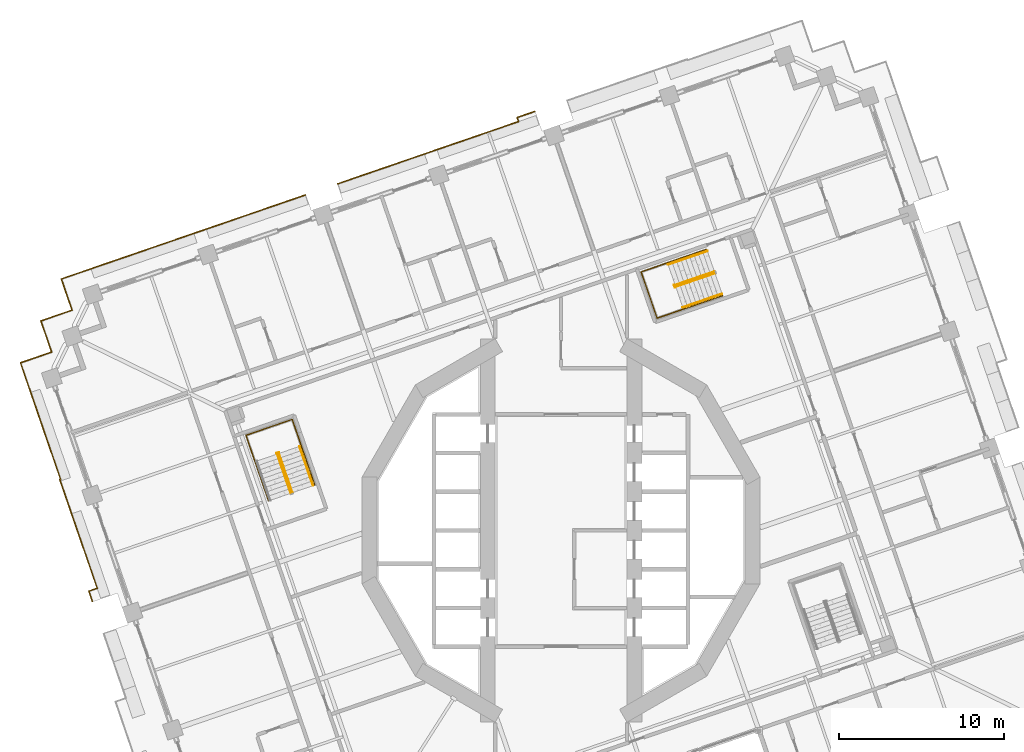
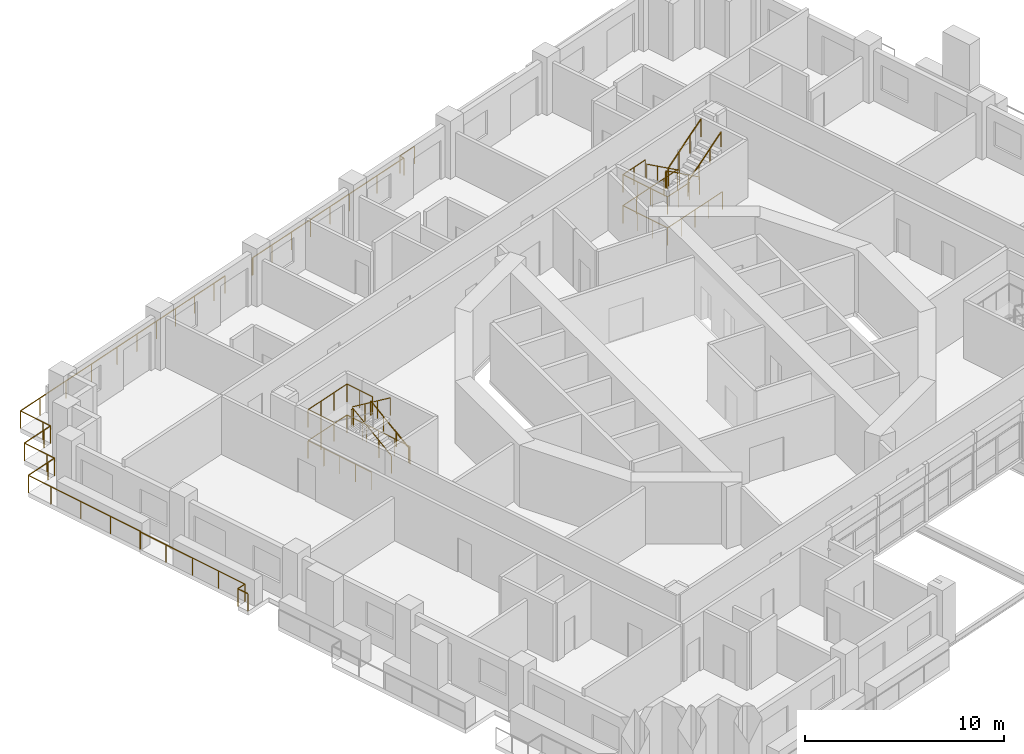
# One storey, part 19 of 22: 14 railings.
"""IFC4 building model written with IfcOpenShell, lengths in metres."""

from ifc_helpers import new_model, si_unit, direction, frame, origin, origin_2d, place, context, subcontext, project, spatial, circle, extrude, material, type_object, element, save


model = new_model("IFC4")

# Units and contexts
model_context = context("Model", 3, precision=1e-05, world=origin(), true_north=direction((0.0, 1.0)))
body_context = subcontext(model_context, "Body", "Model", "MODEL_VIEW")
ifc_project = project(units=[si_unit("LENGTHUNIT", "METRE"), si_unit("AREAUNIT", "SQUARE_METRE"), si_unit("VOLUMEUNIT", "CUBIC_METRE"), si_unit("PLANEANGLEUNIT", "RADIAN"), si_unit("MASSUNIT", "GRAM", prefix="KILO")], contexts=[model_context])

# Site, building, storey
site_placement = place(None, origin())
site = spatial("IfcSite", under=ifc_project, at=site_placement, CompositionType="ELEMENT")
building_placement = place(site_placement, origin())
building = spatial("IfcBuilding", under=site, at=building_placement, Name="Cantera Rosa Tower", CompositionType="ELEMENT")
storey_placement = place(building_placement, frame((0.0, 0.0, 107.89990234375)))
storey = spatial("IfcBuildingStorey", under=building, at=storey_placement, Name="L21", CompositionType="ELEMENT", Elevation=107.89990234375)

# Railings
ifc_material_1 = material(Name="Stainless steel and laminated glass", Category="steel")
railing_type_1 = type_object("IfcRailingType", Name="GUARD 1100", PredefinedType="BALUSTRADE", material=ifc_material_1)
railing_1_placement = place(storey_placement, frame((-29.6689453125, 13.369140625, 0.0)))
element("IfcRailing", 1, at=railing_1_placement, inside=storey, type_object=railing_type_1, Name="GUARD L21-5", PredefinedType="BALUSTRADE", context=body_context, shape_type="SweptSolid", body=[
    extrude(circle(Radius=0.030029296875, at=origin_2d()), frame((0.0, 0.0, 1.070068359375), z_axis=(-0.32573481536, 0.945461173218, 0.0), x_axis=(-0.945461173218, -0.32573481536, 0.0)), (0.0, 0.0, 1.0), 0.5),
    extrude(circle(Radius=0.030029296875, at=origin_2d()), frame((-0.162841796875, 0.47265625, 1.070068359375), z_axis=(-0.325489086777, 0.945545797087, 0.0), x_axis=(-0.945545797087, -0.325489086777, 0.0)), (0.0, 0.0, 1.0), 1.500244140625),
    extrude(circle(Radius=0.030029296875, at=origin_2d()), frame((-0.651123046875, 1.89111328125, 1.070068359375), z_axis=(0.945528551438, 0.325539181077, 0.0), x_axis=(-0.325539181077, 0.945528551438, 0.0)), (0.0, 0.0, 1.0), 1.5),
    extrude(circle(Radius=0.030029296875, at=origin_2d()), frame((0.76708984375, 2.37939453125, 1.070068359375), z_axis=(0.945517123015, 0.325572373037, 0.0), x_axis=(-0.325572373037, 0.945517123015, 0.0)), (0.0, 0.0, 1.0), 5.900146484375),
    extrude(circle(Radius=0.030029296875, at=origin_2d()), frame((6.345703125, 4.30029296875, 1.070068359375), z_axis=(0.945528551438, 0.325539181077, 0.0), x_axis=(-0.325539181077, 0.945528551438, 0.0)), (0.0, 0.0, 1.0), 2.999755859375),
    extrude(circle(Radius=0.030029296875, at=origin_2d()), frame((9.18212890625, 5.27685546875, 1.070068359375), z_axis=(0.945513227049, 0.325583687361, 0.0), x_axis=(-0.325583687361, 0.945513227049, 0.0)), (0.0, 0.0, 1.0), 4.400146484375),
    extrude(circle(Radius=0.030029296875, at=origin_2d()), frame((13.342529296875, 6.70947265625, 1.070068359375), z_axis=(0.945522007901, 0.325558186158, 0.0), x_axis=(-0.325558186158, 0.945522007901, 0.0)), (0.0, 0.0, 1.0), 0.869873046875),
    extrude(circle(Radius=0.02490234375, at=origin_2d()), origin(), (0.0, 0.0, 1.0), 1.0400390625),
    extrude(circle(Radius=0.02490234375, at=origin_2d()), frame((-0.162841796875, 0.47265625, 0.0)), (0.0, 0.0, 1.0), 1.0400390625),
    extrude(circle(Radius=0.02490234375, at=origin_2d()), frame((-0.651123046875, 1.89111328125, 0.0)), (0.0, 0.0, 1.0), 1.0400390625),
    extrude(circle(Radius=0.02490234375, at=origin_2d()), frame((0.76708984375, 2.37939453125, 0.0)), (0.0, 0.0, 1.0), 1.0400390625),
    extrude(circle(Radius=0.02490234375, at=origin_2d()), frame((2.626708984375, 3.019775390625, 0.0)), (0.0, 0.0, 1.0), 1.0400390625),
    extrude(circle(Radius=0.02490234375, at=origin_2d()), frame((4.486083984375, 3.659912109375, 0.0)), (0.0, 0.0, 1.0), 1.0400390625),
    extrude(circle(Radius=0.02490234375, at=origin_2d()), frame((6.345703125, 4.30029296875, 0.0)), (0.0, 0.0, 1.0), 1.0400390625),
    extrude(circle(Radius=0.02490234375, at=origin_2d()), frame((7.763916015625, 4.78857421875, 0.0)), (0.0, 0.0, 1.0), 1.0400390625),
    extrude(circle(Radius=0.02490234375, at=origin_2d()), frame((9.18212890625, 5.27685546875, 0.0)), (0.0, 0.0, 1.0), 1.0400390625),
    extrude(circle(Radius=0.02490234375, at=origin_2d()), frame((10.56884765625, 5.75439453125, 0.0)), (0.0, 0.0, 1.0), 1.0400390625),
    extrude(circle(Radius=0.02490234375, at=origin_2d()), frame((11.955810546875, 6.23193359375, 0.0)), (0.0, 0.0, 1.0), 1.0400390625),
    extrude(circle(Radius=0.02490234375, at=origin_2d()), frame((13.342529296875, 6.70947265625, 0.0)), (0.0, 0.0, 1.0), 1.0400390625),
    extrude(circle(Radius=0.02490234375, at=origin_2d()), frame((14.1650390625, 6.99267578125, 0.0)), (0.0, 0.0, 1.0), 1.0400390625),
])
railing_2_placement = place(storey_placement, frame((-28.4375, -4.302734375, 0.0)))
element("IfcRailing", 2, at=railing_2_placement, inside=storey, type_object=railing_type_1, Name="GUARD L21-6", PredefinedType="BALUSTRADE", context=body_context, shape_type="SweptSolid", body=[
    extrude(circle(Radius=0.030029296875, at=origin_2d()), frame((0.0, 0.0, 1.070068359375), z_axis=(-0.325659546452, 0.945487101871, 0.0), x_axis=(-0.945487101871, -0.325659546452, 0.0)), (0.0, 0.0, 1.0), 0.658935546875),
    extrude(circle(Radius=0.030029296875, at=origin_2d()), frame((-0.214599609375, 0.623046875, 1.070068359375), z_axis=(0.945368163096, 0.326004656722, 0.0), x_axis=(-0.326004656722, 0.945368163096, 0.0)), (0.0, 0.0, 1.0), 0.538330078125),
    extrude(circle(Radius=0.030029296875, at=origin_2d()), frame((0.29443359375, 0.798583984375, 1.070068359375), z_axis=(-0.325570342636, 0.945517822146, 0.0), x_axis=(-0.945517822146, -0.325570342636, 0.0)), (0.0, 0.0, 1.0), 6.9814453125),
    extrude(circle(Radius=0.030029296875, at=origin_2d()), frame((-1.978515625, 7.399658203125, 1.070068359375), z_axis=(0.946241776499, 0.323460199109, 0.0), x_axis=(-0.323460199109, 0.946241776499, 0.0)), (0.0, 0.0, 1.0), 0.050537109375),
    extrude(circle(Radius=0.030029296875, at=origin_2d()), frame((-1.9306640625, 7.416015625, 1.070068359375), z_axis=(-0.325549503815, 0.945524997325, 0.0), x_axis=(-0.945524997325, -0.325549503815, 0.0)), (0.0, 0.0, 1.0), 5.969482421875),
    extrude(circle(Radius=0.030029296875, at=origin_2d()), frame((-3.8740234375, 13.060302734375, 1.070068359375), z_axis=(-0.325539181077, 0.945528551438, 0.0), x_axis=(-0.945528551438, -0.325539181077, 0.0)), (0.0, 0.0, 1.0), 1.5),
    extrude(circle(Radius=0.030029296875, at=origin_2d()), frame((-4.3623046875, 14.478515625, 1.070068359375), z_axis=(0.945528551438, 0.325539181077, 0.0), x_axis=(-0.325539181077, 0.945528551438, 0.0)), (0.0, 0.0, 1.0), 1.5),
    extrude(circle(Radius=0.030029296875, at=origin_2d()), frame((-2.944091796875, 14.966796875, 1.070068359375), z_axis=(0.945461173218, 0.32573481536, 0.0), x_axis=(-0.32573481536, 0.945461173218, 0.0)), (0.0, 0.0, 1.0), 0.5),
    extrude(circle(Radius=0.030029296875, at=origin_2d()), frame((-2.471435546875, 15.129638671875, 1.070068359375), z_axis=(-0.325147989177, 0.945663145699, 0.0), x_axis=(-0.945663145699, -0.325147989177, 0.0)), (0.0, 0.0, 1.0), 0.5),
    extrude(circle(Radius=0.030029296875, at=origin_2d()), frame((-2.634033203125, 15.6025390625, 1.070068359375), z_axis=(-0.325684689469, 0.945478441343, 0.0), x_axis=(-0.945478441343, -0.325684689469, 0.0)), (0.0, 0.0, 1.0), 1.5),
    extrude(circle(Radius=0.030029296875, at=origin_2d()), frame((-3.12255859375, 17.020751953125, 1.070068359375), z_axis=(0.945545797087, 0.325489086777, 0.0), x_axis=(-0.325489086777, 0.945545797087, 0.0)), (0.0, 0.0, 1.0), 1.500244140625),
    extrude(circle(Radius=0.030029296875, at=origin_2d()), frame((-1.7041015625, 17.509033203125, 1.070068359375), z_axis=(0.945461173218, 0.32573481536, 0.0), x_axis=(-0.32573481536, 0.945461173218, 0.0)), (0.0, 0.0, 1.0), 0.5),
    extrude(circle(Radius=0.02490234375, at=origin_2d()), origin(), (0.0, 0.0, 1.0), 1.0400390625),
    extrude(circle(Radius=0.02490234375, at=origin_2d()), frame((-0.214599609375, 0.623046875, 0.0)), (0.0, 0.0, 1.0), 1.0400390625),
    extrude(circle(Radius=0.02490234375, at=origin_2d()), frame((0.29443359375, 0.798583984375, 0.0)), (0.0, 0.0, 1.0), 1.0400390625),
    extrude(circle(Radius=0.02490234375, at=origin_2d()), frame((-0.27392578125, 2.44873046875, 0.0)), (0.0, 0.0, 1.0), 1.0400390625),
    extrude(circle(Radius=0.02490234375, at=origin_2d()), frame((-0.842041015625, 4.09912109375, 0.0)), (0.0, 0.0, 1.0), 1.0400390625),
    extrude(circle(Radius=0.02490234375, at=origin_2d()), frame((-1.41015625, 5.74951171875, 0.0)), (0.0, 0.0, 1.0), 1.0400390625),
    extrude(circle(Radius=0.02490234375, at=origin_2d()), frame((-1.978515625, 7.399658203125, 0.0)), (0.0, 0.0, 1.0), 1.0400390625),
    extrude(circle(Radius=0.02490234375, at=origin_2d()), frame((-1.9306640625, 7.416015625, 0.0)), (0.0, 0.0, 1.0), 1.0400390625),
    extrude(circle(Radius=0.02490234375, at=origin_2d()), frame((-2.578369140625, 9.29736328125, 0.0)), (0.0, 0.0, 1.0), 1.0400390625),
    extrude(circle(Radius=0.02490234375, at=origin_2d()), frame((-3.226318359375, 11.178955078125, 0.0)), (0.0, 0.0, 1.0), 1.0400390625),
    extrude(circle(Radius=0.02490234375, at=origin_2d()), frame((-3.8740234375, 13.060302734375, 0.0)), (0.0, 0.0, 1.0), 1.0400390625),
    extrude(circle(Radius=0.02490234375, at=origin_2d()), frame((-4.3623046875, 14.478515625, 0.0)), (0.0, 0.0, 1.0), 1.0400390625),
    extrude(circle(Radius=0.02490234375, at=origin_2d()), frame((-2.944091796875, 14.966796875, 0.0)), (0.0, 0.0, 1.0), 1.0400390625),
    extrude(circle(Radius=0.02490234375, at=origin_2d()), frame((-2.471435546875, 15.129638671875, 0.0)), (0.0, 0.0, 1.0), 1.0400390625),
    extrude(circle(Radius=0.02490234375, at=origin_2d()), frame((-2.634033203125, 15.6025390625, 0.0)), (0.0, 0.0, 1.0), 1.0400390625),
    extrude(circle(Radius=0.02490234375, at=origin_2d()), frame((-3.12255859375, 17.020751953125, 0.0)), (0.0, 0.0, 1.0), 1.0400390625),
    extrude(circle(Radius=0.02490234375, at=origin_2d()), frame((-1.7041015625, 17.509033203125, 0.0)), (0.0, 0.0, 1.0), 1.0400390625),
    extrude(circle(Radius=0.02490234375, at=origin_2d()), frame((-1.2314453125, 17.671875, 0.0)), (0.0, 0.0, 1.0), 1.0400390625),
])
railing_3_placement = place(storey_placement, frame((-13.55615234375, 21.032470703125, 0.0)))
element("IfcRailing", 3, at=railing_3_placement, inside=storey, type_object=railing_type_1, Name="GUARD L21-7", PredefinedType="BALUSTRADE", context=body_context, shape_type="SweptSolid", body=[
    extrude(circle(Radius=0.030029296875, at=origin_2d()), frame((0.0, 0.0, 1.070068359375), z_axis=(0.946220044844, 0.323523765333, 0.0), x_axis=(-0.323523765333, 0.946220044844, 0.0)), (0.0, 0.0, 1.0), 0.070068359375),
    extrude(circle(Radius=0.030029296875, at=origin_2d()), frame((0.06640625, 0.022705078125, 1.070068359375), z_axis=(0.945507344955, 0.325600768791, 0.0), x_axis=(-0.325600768791, 0.945507344955, 0.0)), (0.0, 0.0, 1.0), 4.39990234375),
    extrude(circle(Radius=0.030029296875, at=origin_2d()), frame((4.2265625, 1.455322265625, 1.070068359375), z_axis=(0.945537175258, 0.325514132114, 0.0), x_axis=(-0.325514132114, 0.945537175258, 0.0)), (0.0, 0.0, 1.0), 3.0),
    extrude(circle(Radius=0.030029296875, at=origin_2d()), frame((7.063232421875, 2.431884765625, 1.070068359375), z_axis=(0.94551645067, 0.325574325633, 0.0), x_axis=(-0.325574325633, 0.94551645067, 0.0)), (0.0, 0.0, 1.0), 4.138671875),
    extrude(circle(Radius=0.030029296875, at=origin_2d()), frame((10.976318359375, 3.779296875, 1.070068359375), z_axis=(-0.325731798778, 0.9454622125, 0.0), x_axis=(-0.9454622125, -0.325731798778, 0.0)), (0.0, 0.0, 1.0), 0.261474609375),
    extrude(circle(Radius=0.030029296875, at=origin_2d()), frame((10.89111328125, 4.026611328125, 1.070068359375), z_axis=(0.945508186981, 0.325598323632, 0.0), x_axis=(-0.325598323632, 0.945508186981, 0.0)), (0.0, 0.0, 1.0), 1.131591796875),
    extrude(circle(Radius=0.02490234375, at=origin_2d()), origin(), (0.0, 0.0, 1.0), 1.0400390625),
    extrude(circle(Radius=0.02490234375, at=origin_2d()), frame((0.06640625, 0.022705078125, 0.0)), (0.0, 0.0, 1.0), 1.0400390625),
    extrude(circle(Radius=0.02490234375, at=origin_2d()), frame((1.453125, 0.500244140625, 0.0)), (0.0, 0.0, 1.0), 1.0400390625),
    extrude(circle(Radius=0.02490234375, at=origin_2d()), frame((2.83984375, 0.977783203125, 0.0)), (0.0, 0.0, 1.0), 1.0400390625),
    extrude(circle(Radius=0.02490234375, at=origin_2d()), frame((4.2265625, 1.455322265625, 0.0)), (0.0, 0.0, 1.0), 1.0400390625),
    extrude(circle(Radius=0.02490234375, at=origin_2d()), frame((5.64501953125, 1.943603515625, 0.0)), (0.0, 0.0, 1.0), 1.0400390625),
    extrude(circle(Radius=0.02490234375, at=origin_2d()), frame((7.063232421875, 2.431884765625, 0.0)), (0.0, 0.0, 1.0), 1.0400390625),
    extrude(circle(Radius=0.02490234375, at=origin_2d()), frame((9.019775390625, 3.10546875, 0.0)), (0.0, 0.0, 1.0), 1.0400390625),
    extrude(circle(Radius=0.02490234375, at=origin_2d()), frame((10.976318359375, 3.779296875, 0.0)), (0.0, 0.0, 1.0), 1.0400390625),
    extrude(circle(Radius=0.02490234375, at=origin_2d()), frame((10.89111328125, 4.026611328125, 0.0)), (0.0, 0.0, 1.0), 1.0400390625),
    extrude(circle(Radius=0.02490234375, at=origin_2d()), frame((11.9609375, 4.39501953125, 0.0)), (0.0, 0.0, 1.0), 1.0400390625),
])
ifc_material_2 = material(Name="Steel S355J2 (EN 10025-2)", Category="steel")
railing_type_2 = type_object("IfcRailingType", Name="STAIR GUARD 1100", PredefinedType="GUARDRAIL", material=ifc_material_2)
railing_4_placement = place(storey_placement, frame((9.307861328125, 15.7021484375, 0.190185546875)))
element("IfcRailing", 4, at=railing_4_placement, inside=storey, type_object=railing_type_2, Name="L21 ST-21 stair guard 1", PredefinedType="GUARDRAIL", context=body_context, shape_type="SweptSolid", body=[
    extrude(circle(Radius=0.02392578125, at=origin_2d()), frame((0.0, 0.0, 1.076171875), z_axis=(-0.782404165978, -0.269432418223, 0.561471186323), x_axis=(0.325599548996, -0.94550776501, 0.0)), (0.0, 0.0, 1.0), 3.04541015625),
    extrude(circle(Radius=0.02392578125, at=origin_2d()), frame((-2.3828125, -0.820556640625, 2.7861328125), z_axis=(-0.989063265047, 0.147491890402, 0.0), x_axis=(-0.147491890402, -0.989063265047, 0.0)), (0.0, 0.0, 1.0), 0.056396484375),
    extrude(circle(Radius=0.02392578125, at=origin_2d()), frame((-2.4384765625, -0.812255859375, 2.7861328125), z_axis=(0.325990683319, -0.945372981626, 0.0), x_axis=(0.945372981626, 0.325990683319, 0.0)), (0.0, 0.0, 1.0), 0.14990234375),
    extrude(circle(Radius=0.02099609375, at=origin_2d()), origin(), (0.0, 0.0, 1.0), 1.052001953125),
    extrude(circle(Radius=0.02099609375, at=origin_2d()), frame((-0.794189453125, -0.2734375, 0.570068359375)), (0.0, 0.0, 1.0), 1.052001953125),
    extrude(circle(Radius=0.02099609375, at=origin_2d()), frame((-1.588623046875, -0.547119140625, 1.139892578125)), (0.0, 0.0, 1.0), 1.052001953125),
    extrude(circle(Radius=0.02099609375, at=origin_2d()), frame((-2.3828125, -0.820556640625, 1.7099609375)), (0.0, 0.0, 1.0), 1.052001953125),
    extrude(circle(Radius=0.02099609375, at=origin_2d()), frame((-2.4384765625, -0.812255859375, 1.7099609375)), (0.0, 0.0, 1.0), 1.052001953125),
    extrude(circle(Radius=0.02099609375, at=origin_2d()), frame((-2.3896484375, -0.953857421875, 1.7099609375)), (0.0, 0.0, 1.0), 1.052001953125),
])
railing_5_placement = place(storey_placement, frame((6.95703125, 14.7890625, 2.090087890625)))
element("IfcRailing", 5, at=railing_5_placement, inside=storey, type_object=railing_type_2, Name="L21 ST-21 stair guard 2", PredefinedType="GUARDRAIL", context=body_context, shape_type="SweptSolid", body=[
    extrude(circle(Radius=0.02392578125, at=origin_2d()), frame((0.0, 0.0, 1.076171875), z_axis=(0.782389970342, 0.269374966733, 0.561518531845), x_axis=(-0.325542759796, 0.945527319301, 0.0)), (0.0, 0.0, 1.0), 3.045166015625),
    extrude(circle(Radius=0.02099609375, at=origin_2d()), origin(), (0.0, 0.0, 1.0), 1.052001953125),
    extrude(circle(Radius=0.02099609375, at=origin_2d()), frame((0.794189453125, 0.2734375, 0.570068359375)), (0.0, 0.0, 1.0), 1.052001953125),
    extrude(circle(Radius=0.02099609375, at=origin_2d()), frame((1.58837890625, 0.546875, 1.139892578125)), (0.0, 0.0, 1.0), 1.052001953125),
    extrude(circle(Radius=0.02099609375, at=origin_2d()), frame((2.382568359375, 0.8203125, 1.7099609375)), (0.0, 0.0, 1.0), 1.052001953125),
])
railing_6_placement = place(storey_placement, frame((8.828857421875, 17.055908203125, 0.0)))
element("IfcRailing", 6, at=railing_6_placement, inside=storey, type_object=railing_type_2, Name="L21 ST-21 stair guard 4", PredefinedType="GUARDRAIL", context=body_context, shape_type="SweptSolid", body=[
    extrude(circle(Radius=0.02392578125, at=origin_2d()), frame((0.0, 0.0, 1.076171875), z_axis=(-0.945519978022, -0.325564081496, 0.0), x_axis=(0.325564081496, -0.945519978022, 0.0)), (0.0, 0.0, 1.0), 4.197998046875),
    extrude(circle(Radius=0.02392578125, at=origin_2d()), frame((-3.96923828125, -1.36669921875, 1.076171875), z_axis=(0.325608117645, -0.945504814226, 0.0), x_axis=(0.945504814226, 0.325608117645, 0.0)), (0.0, 0.0, 1.0), 2.969970703125),
    extrude(circle(Radius=0.02392578125, at=origin_2d()), frame((-3.002197265625, -4.1748046875, 1.076171875), z_axis=(0.945519978022, 0.325564081496, 0.0), x_axis=(-0.325564081496, 0.945519978022, 0.0)), (0.0, 0.0, 1.0), 4.197998046875),
    extrude(circle(Radius=0.02099609375, at=origin_2d()), origin(), (0.0, 0.0, 1.0), 1.052001953125),
    extrude(circle(Radius=0.02099609375, at=origin_2d()), frame((-0.9921875, -0.341796875, 0.0)), (0.0, 0.0, 1.0), 1.052001953125),
    extrude(circle(Radius=0.02099609375, at=origin_2d()), frame((-1.984619140625, -0.683349609375, 0.0)), (0.0, 0.0, 1.0), 1.052001953125),
    extrude(circle(Radius=0.02099609375, at=origin_2d()), frame((-2.97705078125, -1.02490234375, 0.0)), (0.0, 0.0, 1.0), 1.052001953125),
    extrude(circle(Radius=0.02099609375, at=origin_2d()), frame((-3.96923828125, -1.36669921875, 0.0)), (0.0, 0.0, 1.0), 1.052001953125),
    extrude(circle(Radius=0.02099609375, at=origin_2d()), frame((-3.64697265625, -2.302734375, 0.0)), (0.0, 0.0, 1.0), 1.052001953125),
    extrude(circle(Radius=0.02099609375, at=origin_2d()), frame((-3.324462890625, -3.23876953125, 0.0)), (0.0, 0.0, 1.0), 1.052001953125),
    extrude(circle(Radius=0.02099609375, at=origin_2d()), frame((-3.002197265625, -4.1748046875, 0.0)), (0.0, 0.0, 1.0), 1.052001953125),
    extrude(circle(Radius=0.02099609375, at=origin_2d()), frame((-2.009765625, -3.8330078125, 0.0)), (0.0, 0.0, 1.0), 1.052001953125),
    extrude(circle(Radius=0.02099609375, at=origin_2d()), frame((-1.017578125, -3.491455078125, 0.0)), (0.0, 0.0, 1.0), 1.052001953125),
    extrude(circle(Radius=0.02099609375, at=origin_2d()), frame((-0.025390625, -3.14990234375, 0.0)), (0.0, 0.0, 1.0), 1.052001953125),
    extrude(circle(Radius=0.02099609375, at=origin_2d()), frame((0.967041015625, -2.80810546875, 0.0)), (0.0, 0.0, 1.0), 1.052001953125),
])
railing_7_placement = place(storey_placement, frame((6.468994140625, 16.243408203125, 1.900146484375)))
element("IfcRailing", 7, at=railing_7_placement, inside=storey, type_object=railing_type_2, Name="L21 ST-21 stair guard 5", PredefinedType="GUARDRAIL", context=body_context, shape_type="SweptSolid", body=[
    extrude(circle(Radius=0.02392578125, at=origin_2d()), frame((0.0, 0.0, 1.076171875), z_axis=(-0.94551008141, -0.32559282233, 0.0), x_axis=(0.32559282233, -0.94551008141, 0.0)), (0.0, 0.0, 1.0), 1.7021484375),
    extrude(circle(Radius=0.02392578125, at=origin_2d()), frame((-1.609375, -0.55419921875, 1.076171875), z_axis=(0.325608117645, -0.945504814226, 0.0), x_axis=(0.945504814226, 0.325608117645, 0.0)), (0.0, 0.0, 1.0), 2.969970703125),
    extrude(circle(Radius=0.02392578125, at=origin_2d()), frame((-0.642333984375, -3.3623046875, 1.076171875), z_axis=(0.945539033546, 0.325508734201, 0.0), x_axis=(-0.325508734201, 0.945539033546, 0.0)), (0.0, 0.0, 1.0), 1.701904296875),
    extrude(circle(Radius=0.02099609375, at=origin_2d()), origin(), (0.0, 0.0, 1.0), 1.052001953125),
    extrude(circle(Radius=0.02099609375, at=origin_2d()), frame((-0.8046875, -0.277099609375, 0.0)), (0.0, 0.0, 1.0), 1.052001953125),
    extrude(circle(Radius=0.02099609375, at=origin_2d()), frame((-1.609375, -0.55419921875, 0.0)), (0.0, 0.0, 1.0), 1.052001953125),
    extrude(circle(Radius=0.02099609375, at=origin_2d()), frame((-1.287109375, -1.490234375, 0.0)), (0.0, 0.0, 1.0), 1.052001953125),
    extrude(circle(Radius=0.02099609375, at=origin_2d()), frame((-0.964599609375, -2.42626953125, 0.0)), (0.0, 0.0, 1.0), 1.052001953125),
    extrude(circle(Radius=0.02099609375, at=origin_2d()), frame((-0.642333984375, -3.3623046875, 0.0)), (0.0, 0.0, 1.0), 1.052001953125),
    extrude(circle(Radius=0.02099609375, at=origin_2d()), frame((0.162109375, -3.08544921875, 0.0)), (0.0, 0.0, 1.0), 1.052001953125),
    extrude(circle(Radius=0.02099609375, at=origin_2d()), frame((0.966796875, -2.808349609375, 0.0)), (0.0, 0.0, 1.0), 1.052001953125),
])
railing_8_placement = place(storey_placement, frame((-16.2978515625, 2.292236328125, 0.190185546875)))
element("IfcRailing", 8, at=railing_8_placement, inside=storey, type_object=railing_type_2, Name="L21 ST-22 stair guard 1", PredefinedType="GUARDRAIL", context=body_context, shape_type="SweptSolid", body=[
    extrude(circle(Radius=0.02392578125, at=origin_2d()), frame((0.0, 0.0, 1.076171875), z_axis=(-0.269432418223, 0.782404165978, 0.561471186323), x_axis=(-0.94550776501, -0.325599548996, 0.0)), (0.0, 0.0, 1.0), 3.04541015625),
    extrude(circle(Radius=0.02392578125, at=origin_2d()), frame((-0.820556640625, 2.3828125, 2.7861328125), z_axis=(0.147491890402, 0.989063265047, 0.0), x_axis=(-0.989063265047, 0.147491890402, 0.0)), (0.0, 0.0, 1.0), 0.056396484375),
    extrude(circle(Radius=0.02392578125, at=origin_2d()), frame((-0.812255859375, 2.4384765625, 2.7861328125), z_axis=(-0.945372981626, -0.325990683319, 0.0), x_axis=(0.325990683319, -0.945372981626, 0.0)), (0.0, 0.0, 1.0), 0.14990234375),
    extrude(circle(Radius=0.02099609375, at=origin_2d()), origin(), (0.0, 0.0, 1.0), 1.052001953125),
    extrude(circle(Radius=0.02099609375, at=origin_2d()), frame((-0.2734375, 0.794189453125, 0.570068359375)), (0.0, 0.0, 1.0), 1.052001953125),
    extrude(circle(Radius=0.02099609375, at=origin_2d()), frame((-0.547119140625, 1.588623046875, 1.139892578125)), (0.0, 0.0, 1.0), 1.052001953125),
    extrude(circle(Radius=0.02099609375, at=origin_2d()), frame((-0.820556640625, 2.3828125, 1.7099609375)), (0.0, 0.0, 1.0), 1.052001953125),
    extrude(circle(Radius=0.02099609375, at=origin_2d()), frame((-0.812255859375, 2.4384765625, 1.7099609375)), (0.0, 0.0, 1.0), 1.052001953125),
    extrude(circle(Radius=0.02099609375, at=origin_2d()), frame((-0.953857421875, 2.3896484375, 1.7099609375)), (0.0, 0.0, 1.0), 1.052001953125),
])
railing_9_placement = place(storey_placement, frame((-17.2109375, 4.64306640625, 2.090087890625)))
element("IfcRailing", 9, at=railing_9_placement, inside=storey, type_object=railing_type_2, Name="L21 ST-22 stair guard 2", PredefinedType="GUARDRAIL", context=body_context, shape_type="SweptSolid", body=[
    extrude(circle(Radius=0.02392578125, at=origin_2d()), frame((0.0, 0.0, 1.076171875), z_axis=(0.269358070891, -0.782421063063, 0.561483312059), x_axis=(0.945537585866, 0.325512939397, 0.0)), (0.0, 0.0, 1.0), 3.04541015625),
    extrude(circle(Radius=0.02099609375, at=origin_2d()), origin(), (0.0, 0.0, 1.0), 1.052001953125),
    extrude(circle(Radius=0.02099609375, at=origin_2d()), frame((0.2734375, -0.794189453125, 0.570068359375)), (0.0, 0.0, 1.0), 1.052001953125),
    extrude(circle(Radius=0.02099609375, at=origin_2d()), frame((0.546875, -1.588623046875, 1.139892578125)), (0.0, 0.0, 1.0), 1.052001953125),
    extrude(circle(Radius=0.02099609375, at=origin_2d()), frame((0.8203125, -2.3828125, 1.7099609375)), (0.0, 0.0, 1.0), 1.052001953125),
])
railing_10_placement = place(storey_placement, frame((-14.944091796875, 2.77099609375, 0.0)))
element("IfcRailing", 10, at=railing_10_placement, inside=storey, type_object=railing_type_2, Name="L21 ST-22 stair guard 4", PredefinedType="GUARDRAIL", context=body_context, shape_type="SweptSolid", body=[
    extrude(circle(Radius=0.02392578125, at=origin_2d()), frame((0.0, 0.0, 1.076171875), z_axis=(-0.325546180042, 0.945526141712, 0.0), x_axis=(-0.945526141712, -0.325546180042, 0.0)), (0.0, 0.0, 1.0), 4.1982421875),
    extrude(circle(Radius=0.02392578125, at=origin_2d()), frame((-1.36669921875, 3.969482421875, 1.076171875), z_axis=(-0.945504814226, -0.325608117645, 0.0), x_axis=(0.325608117645, -0.945504814226, 0.0)), (0.0, 0.0, 1.0), 2.969970703125),
    extrude(circle(Radius=0.02392578125, at=origin_2d()), frame((-4.1748046875, 3.00244140625, 1.076171875), z_axis=(0.325564081496, -0.945519978022, 0.0), x_axis=(0.945519978022, 0.325564081496, 0.0)), (0.0, 0.0, 1.0), 4.197998046875),
    extrude(circle(Radius=0.02099609375, at=origin_2d()), origin(), (0.0, 0.0, 1.0), 1.052001953125),
    extrude(circle(Radius=0.02099609375, at=origin_2d()), frame((-0.341796875, 0.992431640625, 0.0)), (0.0, 0.0, 1.0), 1.052001953125),
    extrude(circle(Radius=0.02099609375, at=origin_2d()), frame((-0.683349609375, 1.98486328125, 0.0)), (0.0, 0.0, 1.0), 1.052001953125),
    extrude(circle(Radius=0.02099609375, at=origin_2d()), frame((-1.02490234375, 2.97705078125, 0.0)), (0.0, 0.0, 1.0), 1.052001953125),
    extrude(circle(Radius=0.02099609375, at=origin_2d()), frame((-1.36669921875, 3.969482421875, 0.0)), (0.0, 0.0, 1.0), 1.052001953125),
    extrude(circle(Radius=0.02099609375, at=origin_2d()), frame((-2.302734375, 3.647216796875, 0.0)), (0.0, 0.0, 1.0), 1.052001953125),
    extrude(circle(Radius=0.02099609375, at=origin_2d()), frame((-3.23876953125, 3.32470703125, 0.0)), (0.0, 0.0, 1.0), 1.052001953125),
    extrude(circle(Radius=0.02099609375, at=origin_2d()), frame((-4.1748046875, 3.00244140625, 0.0)), (0.0, 0.0, 1.0), 1.052001953125),
    extrude(circle(Radius=0.02099609375, at=origin_2d()), frame((-3.8330078125, 2.01025390625, 0.0)), (0.0, 0.0, 1.0), 1.052001953125),
    extrude(circle(Radius=0.02099609375, at=origin_2d()), frame((-3.491455078125, 1.017822265625, 0.0)), (0.0, 0.0, 1.0), 1.052001953125),
    extrude(circle(Radius=0.02099609375, at=origin_2d()), frame((-3.14990234375, 0.025390625, 0.0)), (0.0, 0.0, 1.0), 1.052001953125),
    extrude(circle(Radius=0.02099609375, at=origin_2d()), frame((-2.80810546875, -0.966796875, 0.0)), (0.0, 0.0, 1.0), 1.052001953125),
])
railing_11_placement = place(storey_placement, frame((-15.756591796875, 5.131103515625, 1.900146484375)))
element("IfcRailing", 11, at=railing_11_placement, inside=storey, type_object=railing_type_2, Name="L21 ST-22 stair guard 5", PredefinedType="GUARDRAIL", context=body_context, shape_type="SweptSolid", body=[
    extrude(circle(Radius=0.02392578125, at=origin_2d()), frame((0.0, 0.0, 1.076171875), z_axis=(-0.32559282233, 0.94551008141, 0.0), x_axis=(-0.94551008141, -0.32559282233, 0.0)), (0.0, 0.0, 1.0), 1.7021484375),
    extrude(circle(Radius=0.02392578125, at=origin_2d()), frame((-0.55419921875, 1.609375, 1.076171875), z_axis=(-0.945504814226, -0.325608117645, 0.0), x_axis=(0.325608117645, -0.945504814226, 0.0)), (0.0, 0.0, 1.0), 2.969970703125),
    extrude(circle(Radius=0.02392578125, at=origin_2d()), frame((-3.3623046875, 0.642333984375, 1.076171875), z_axis=(0.325464585813, -0.945554230799, 0.0), x_axis=(0.945554230799, 0.325464585813, 0.0)), (0.0, 0.0, 1.0), 1.7021484375),
    extrude(circle(Radius=0.02099609375, at=origin_2d()), origin(), (0.0, 0.0, 1.0), 1.052001953125),
    extrude(circle(Radius=0.02099609375, at=origin_2d()), frame((-0.277099609375, 0.8046875, 0.0)), (0.0, 0.0, 1.0), 1.052001953125),
    extrude(circle(Radius=0.02099609375, at=origin_2d()), frame((-0.55419921875, 1.609375, 0.0)), (0.0, 0.0, 1.0), 1.052001953125),
    extrude(circle(Radius=0.02099609375, at=origin_2d()), frame((-1.490234375, 1.287109375, 0.0)), (0.0, 0.0, 1.0), 1.052001953125),
    extrude(circle(Radius=0.02099609375, at=origin_2d()), frame((-2.42626953125, 0.964599609375, 0.0)), (0.0, 0.0, 1.0), 1.052001953125),
    extrude(circle(Radius=0.02099609375, at=origin_2d()), frame((-3.3623046875, 0.642333984375, 0.0)), (0.0, 0.0, 1.0), 1.052001953125),
    extrude(circle(Radius=0.02099609375, at=origin_2d()), frame((-3.08544921875, -0.162353515625, 0.0)), (0.0, 0.0, 1.0), 1.052001953125),
    extrude(circle(Radius=0.02099609375, at=origin_2d()), frame((-2.808349609375, -0.967041015625, 0.0)), (0.0, 0.0, 1.0), 1.052001953125),
])
ifc_material_3 = material(Name="Steel S355J2 (EN 10025-2)", Category="steel")
railing_type_3 = type_object("IfcRailingType", Name="STAIR HANDRAIL 900", PredefinedType="HANDRAIL", material=ifc_material_3)
railing_12_placement = place(storey_placement, frame((8.8759765625, 16.955810546875, 0.190185546875)))
element("IfcRailing", 12, at=railing_12_placement, inside=storey, type_object=railing_type_3, Name="L21 ST-21 stair handrail 1", PredefinedType="HANDRAIL", context=body_context, shape_type="SweptSolid", body=[
    extrude(circle(Radius=0.02392578125, at=origin_2d()), frame((0.0, 0.0, 0.8759765625), z_axis=(-0.782389970342, -0.269374966733, 0.561518531845), x_axis=(0.325542759796, -0.945527319301, 0.0)), (0.0, 0.0, 1.0), 3.045166015625),
    extrude(circle(Radius=0.02099609375, at=origin_2d()), origin(), (0.0, 0.0, 1.0), 0.851806640625),
    extrude(circle(Radius=0.02099609375, at=origin_2d()), frame((-0.794189453125, -0.2734375, 0.570068359375)), (0.0, 0.0, 1.0), 0.851806640625),
    extrude(circle(Radius=0.02099609375, at=origin_2d()), frame((-1.58837890625, -0.546875, 1.139892578125)), (0.0, 0.0, 1.0), 0.851806640625),
    extrude(circle(Radius=0.02099609375, at=origin_2d()), frame((-2.382568359375, -0.8203125, 1.7099609375)), (0.0, 0.0, 1.0), 0.851806640625),
])
railing_13_placement = place(storey_placement, frame((7.388671875, 13.53515625, 2.090087890625)))
element("IfcRailing", 13, at=railing_13_placement, inside=storey, type_object=railing_type_3, Name="L21 ST-21 stair handrail 2", PredefinedType="HANDRAIL", context=body_context, shape_type="SweptSolid", body=[
    extrude(circle(Radius=0.02392578125, at=origin_2d()), frame((0.0, 0.0, 0.8759765625), z_axis=(0.782404165978, 0.269432418223, 0.561471186323), x_axis=(-0.325599548996, 0.94550776501, 0.0)), (0.0, 0.0, 1.0), 3.04541015625),
    extrude(circle(Radius=0.02099609375, at=origin_2d()), origin(), (0.0, 0.0, 1.0), 0.851806640625),
    extrude(circle(Radius=0.02099609375, at=origin_2d()), frame((0.794189453125, 0.2734375, 0.570068359375)), (0.0, 0.0, 1.0), 0.851806640625),
    extrude(circle(Radius=0.02099609375, at=origin_2d()), frame((1.588623046875, 0.547119140625, 1.139892578125)), (0.0, 0.0, 1.0), 0.851806640625),
    extrude(circle(Radius=0.02099609375, at=origin_2d()), frame((2.3828125, 0.820556640625, 1.7099609375)), (0.0, 0.0, 1.0), 0.851806640625),
])
railing_14_placement = place(storey_placement, frame((-15.044189453125, 2.723876953125, 0.190185546875)))
element("IfcRailing", 14, at=railing_14_placement, inside=storey, type_object=railing_type_3, Name="L21 ST-22 stair handrail 1", PredefinedType="HANDRAIL", context=body_context, shape_type="SweptSolid", body=[
    extrude(circle(Radius=0.02392578125, at=origin_2d()), frame((0.0, 0.0, 0.8759765625), z_axis=(-0.269358070891, 0.782421063063, 0.561483312059), x_axis=(-0.945537585866, -0.325512939397, 0.0)), (0.0, 0.0, 1.0), 3.04541015625),
    extrude(circle(Radius=0.02099609375, at=origin_2d()), origin(), (0.0, 0.0, 1.0), 0.851806640625),
    extrude(circle(Radius=0.02099609375, at=origin_2d()), frame((-0.2734375, 0.794189453125, 0.570068359375)), (0.0, 0.0, 1.0), 0.851806640625),
    extrude(circle(Radius=0.02099609375, at=origin_2d()), frame((-0.546875, 1.588623046875, 1.139892578125)), (0.0, 0.0, 1.0), 0.851806640625),
    extrude(circle(Radius=0.02099609375, at=origin_2d()), frame((-0.8203125, 2.3828125, 1.7099609375)), (0.0, 0.0, 1.0), 0.851806640625),
])

save(model, "model.ifc")
